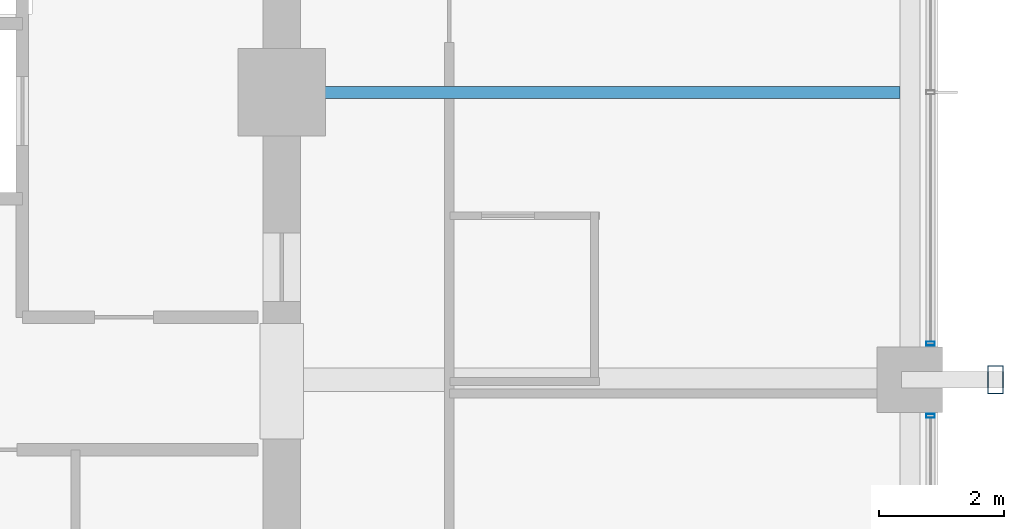
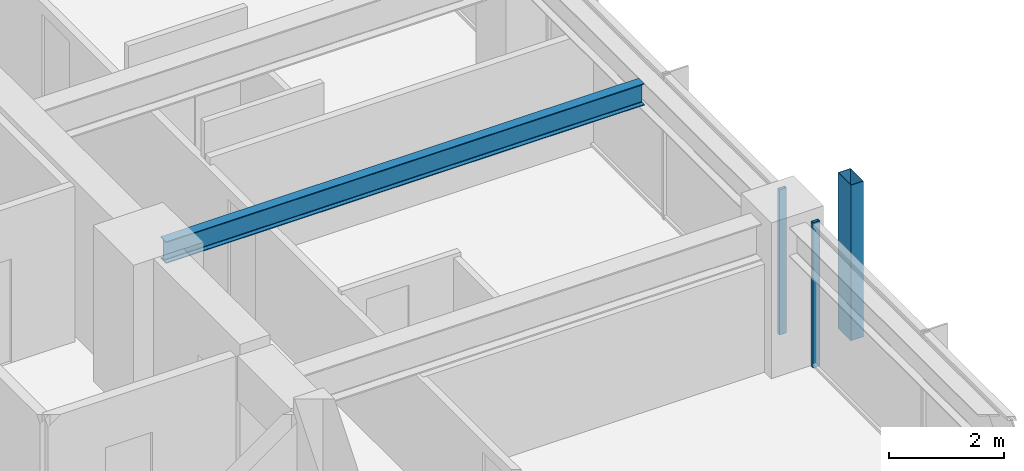
# One storey, part 15 of 38: 3 members, 1 beam, 2 elements without a shape of their own.
"""IFC4 building model written with IfcOpenShell, lengths in metres."""

from ifc_helpers import new_model, si_unit, direction, frame, origin, origin_2d, place, context, subcontext, project, spatial, hollow_rectangle, i_section, extrude, material, material_profile, profile_set, type_object, element, aggregate, save


model = new_model("IFC4")

# Units and contexts
model_context = context("Model", 3, precision=1e-05, world=origin(), true_north=direction((0.0, 1.0)))
body_context = subcontext(model_context, "Body", "Model", "MODEL_VIEW")
ifc_project = project(units=[si_unit("LENGTHUNIT", "METRE"), si_unit("AREAUNIT", "SQUARE_METRE"), si_unit("VOLUMEUNIT", "CUBIC_METRE"), si_unit("PLANEANGLEUNIT", "RADIAN"), si_unit("MASSUNIT", "GRAM", prefix="KILO")], contexts=[model_context])

# Site, building, storey
site_placement = place(None, origin())
site = spatial("IfcSite", under=ifc_project, at=site_placement, CompositionType="ELEMENT")
building_placement = place(site_placement, origin())
building = spatial("IfcBuilding", under=site, at=building_placement, Name="Kolvaren Belvedere", CompositionType="ELEMENT")
storey_placement = place(building_placement, frame((0.0, 0.0, 78.800048828125)))
storey = spatial("IfcBuildingStorey", under=building, at=storey_placement, Name="L22", CompositionType="ELEMENT", Elevation=78.800048828125)

# Beam
ifc_material_1 = material(Name="Structural steel ASTM A992 Grade 50", Category="steel")
ifc_material_profile_1 = material_profile(ifc_material_1, i_section(OverallWidth=0.19091796875, OverallDepth=0.4599609375, WebThickness=0.010009765625, FlangeThickness=0.01611328125, FilletRadius=0.014892578125, at=origin_2d()), Name="W18X55")
ifc_profile_set_1 = profile_set([ifc_material_profile_1], Name="Structural steel ASTM A992 Grade 50")
beam_type = type_object("IfcBeamType", Name="BM-JOIST-W18X55", PredefinedType="BEAM", material=ifc_profile_set_1)
beam_placement = place(storey_placement, frame((10.199951171875, 0.0, 2.849853515625), z_axis=(1.0, 0.0, 0.0), x_axis=(0.0, 1.0, 0.0)))
element("IfcBeam", 1, at=beam_placement, inside=storey, type_object=beam_type, Name="L22 East Centre Floor Beam", PredefinedType="BEAM", context=body_context, shape_type="SweptSolid", body=[
    extrude(i_section(OverallWidth=0.19091796875, OverallDepth=0.4599609375, WebThickness=0.010009765625, FlangeThickness=0.01611328125, FilletRadius=0.014892578125, at=origin_2d()), origin(), (0.0, 0.0, 1.0), 9.587646484375),
])

# Curtain wall, member
ifc_material_2 = material(Name="Anodised pale-metal aluminium AA 6063-T6", Category="aluminium")
curtain_wall_type = type_object("IfcCurtainWallType", Name="CW-Z2-MID", PredefinedType="NOTDEFINED", material=ifc_material_2)
curtain_wall_1_placement = place(storey_placement, origin())
curtain_wall_1 = element("IfcCurtainWall", 2, at=curtain_wall_1_placement, inside=storey, type_object=curtain_wall_type, Name="L22 Unitised Curtain Wall FCW-L22-E-B2", PredefinedType="NOTDEFINED")
ifc_material_3 = material(Name="Anodised pale-metal aluminium AA 6063-T6", Category="aluminium")
ifc_material_profile_2 = material_profile(ifc_material_3, hollow_rectangle(XDim=0.06494140625, YDim=0.139892578125, WallThickness=0.00390625, at=origin_2d()), Name="ALU-MUL-140X65")
ifc_profile_set_2 = profile_set([ifc_material_profile_2], Name="Anodised pale-metal aluminium AA 6063-T6")
member_type_1 = type_object("IfcMemberType", Name="CW-MUL-140", PredefinedType="MULLION", material=ifc_profile_set_2)
member_1_placement = place(storey_placement, frame((20.280029296875, -4.0224609375, 0.0), z_axis=(0.0, 0.0, 1.0), x_axis=(0.0, 1.0, 0.0)))
member_1 = element("IfcMember", 3, at=member_1_placement, type_object=member_type_1, Name="FCW-L22-E-B2 Unitised Mullion 3", PredefinedType="MULLION", context=body_context, shape_type="SweptSolid", body=[
    extrude(hollow_rectangle(XDim=0.06494140625, YDim=0.139892578125, WallThickness=0.00390625, at=origin_2d()), origin(), (0.0, 0.0, 1.0), 3.079833984375),
])
aggregate(curtain_wall_1, [member_1])

curtain_wall_2_placement = place(storey_placement, origin())
curtain_wall_2 = element("IfcCurtainWall", 4, at=curtain_wall_2_placement, inside=storey, type_object=curtain_wall_type, Name="L22 Unitised Curtain Wall FCW-L22-E-B3", PredefinedType="NOTDEFINED")
member_2_placement = place(storey_placement, frame((20.280029296875, -5.177490234375, 0.0), z_axis=(0.0, 0.0, 1.0), x_axis=(0.0, 1.0, 0.0)))
member_2 = element("IfcMember", 5, at=member_2_placement, type_object=member_type_1, Name="FCW-L22-E-B3 Unitised Mullion 1", PredefinedType="MULLION", context=body_context, shape_type="SweptSolid", body=[
    extrude(hollow_rectangle(XDim=0.06494140625, YDim=0.139892578125, WallThickness=0.00390625, at=origin_2d()), origin(), (0.0, 0.0, 1.0), 3.079833984375),
])
aggregate(curtain_wall_2, [member_2])

# Member
ifc_material_4 = material(Name="Anodised pale-metal aluminium AA 6063-T6", Category="aluminium")
ifc_material_profile_3 = material_profile(ifc_material_4, hollow_rectangle(XDim=0.25, YDim=0.449951171875, WallThickness=0.008544921875, at=origin_2d()), Name="ALU-PF-450X250")
ifc_profile_set_3 = profile_set([ifc_material_profile_3], Name="Anodised pale-metal aluminium AA 6063-T6")
member_type_2 = type_object("IfcMemberType", Name="PF-FRAME-450", PredefinedType="USERDEFINED", material=ifc_profile_set_3)
member_3_placement = place(storey_placement, frame((21.320068359375, -4.60009765625, 0.0), z_axis=(0.0, 0.0, 1.0), x_axis=(1.0, 0.0, 0.0)))
element("IfcMember", 6, at=member_3_placement, inside=storey, type_object=member_type_2, Name="L22 Outboard Picture-Frame Vertical E2", ObjectType="PICTURE FRAME FIN", PredefinedType="USERDEFINED", context=body_context, shape_type="SweptSolid", body=[
    extrude(hollow_rectangle(XDim=0.25, YDim=0.449951171875, WallThickness=0.008544921875, at=origin_2d()), origin(), (0.0, 0.0, 1.0), 3.300048828125),
])

save(model, "model.ifc")
